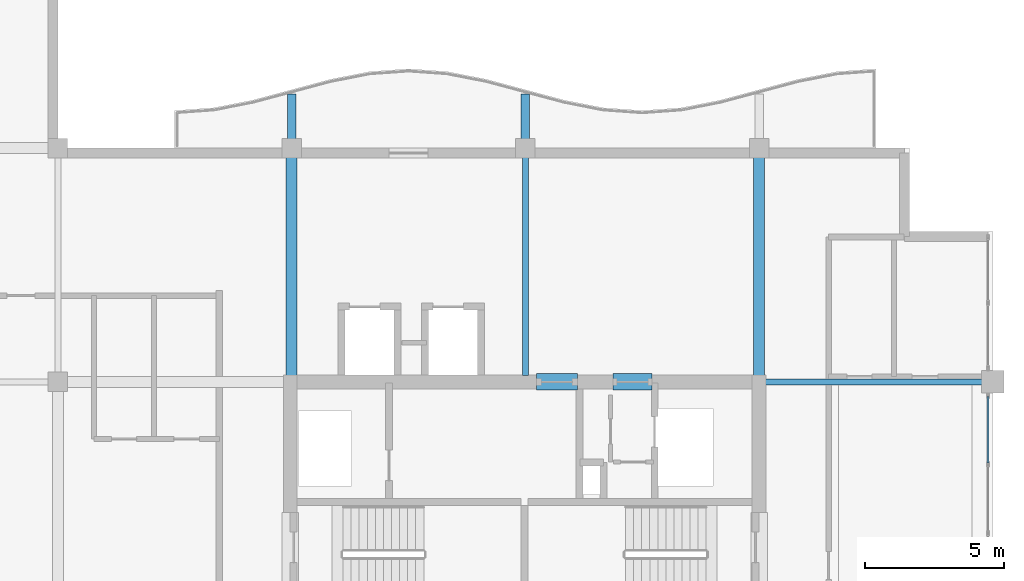
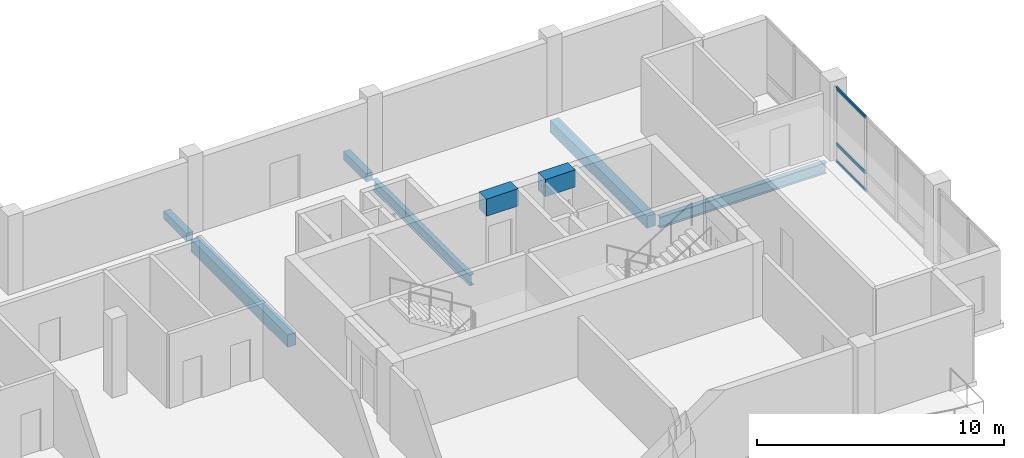
# One storey, part 3 of 14: 8 beams, 3 members, 1 element without a shape of its own.
"""IFC4 building model written with IfcOpenShell, lengths in metres."""

from ifc_helpers import new_model, si_unit, direction, frame, origin, origin_2d, place, context, subcontext, project, spatial, rectangle, hollow_rectangle, i_section, extrude, material, layer, layer_set, material_profile, profile_set, type_object, element, aggregate, save


model = new_model("IFC4")

# Units and contexts
model_context = context("Model", 3, precision=1e-05, world=origin(), true_north=direction((0.0, 1.0)))
body_context = subcontext(model_context, "Body", "Model", "MODEL_VIEW")
ifc_project = project(units=[si_unit("LENGTHUNIT", "METRE"), si_unit("AREAUNIT", "SQUARE_METRE"), si_unit("VOLUMEUNIT", "CUBIC_METRE"), si_unit("PLANEANGLEUNIT", "RADIAN"), si_unit("MASSUNIT", "GRAM", prefix="KILO")], contexts=[model_context])

# Site, building, storey
site_placement = place(None, origin())
site = spatial("IfcSite", under=ifc_project, at=site_placement, CompositionType="ELEMENT")
building_placement = place(site_placement, origin())
building = spatial("IfcBuilding", under=site, at=building_placement, Name="Koriwani Terraces Tower", CompositionType="ELEMENT")
storey_placement = place(building_placement, frame((0.0, 0.0, 308.60009765625)))
storey = spatial("IfcBuildingStorey", under=building, at=storey_placement, Name="L76", CompositionType="ELEMENT", Elevation=308.60009765625)

# Beams
ifc_material_1 = material(Name="Concrete C40/50", Category="concrete")
ifc_material_profile_1 = material_profile(ifc_material_1, rectangle(XDim=0.300048828125, YDim=0.39990234375, at=origin_2d()), Name="Concrete C40/50", Category="LoadBearing")
ifc_profile_set_1 = profile_set([ifc_material_profile_1], Name="Concrete C40/50")
beam_type_1 = type_object("IfcBeamType", Name="BEAM_RC_BALCONY_RIB_300X400", PredefinedType="JOIST", material=ifc_profile_set_1)
for number, where, z_axis, x_axis, name in (
    (1, (42.0, 33.699951171875, -0.43017578125), (0.0, 1.0, 0.0), (-1.0, 0.0, 0.0), "L76 Balcony Bracket Rib NE-1"),
    (2, (50.39990234375, 33.699951171875, -0.43017578125), (0.0, 1.0, 0.0), (-1.0, 0.0, 0.0), "L76 Balcony Bracket Rib NE-2"),
):
    element("IfcBeam", number, at=place(storey_placement, frame(where, z_axis=z_axis, x_axis=x_axis)), inside=storey, type_object=beam_type_1, Name=name, PredefinedType="JOIST", context=body_context, shape_type="SweptSolid", body=[
        extrude(rectangle(XDim=0.300048828125, YDim=0.39990234375, at=origin_2d()), origin(), (0.0, 0.0, 1.0), 1.85009765625),
    ])
ifc_material_2 = material(Name="Concrete C50/60", Category="concrete")
ifc_material_profile_2 = material_profile(ifc_material_2, rectangle(XDim=0.60009765625, YDim=0.85009765625, at=origin_2d()), Name="Concrete C50/60", Category="LoadBearing")
ifc_profile_set_2 = profile_set([ifc_material_profile_2], Name="Concrete C50/60")
beam_type_2 = type_object("IfcBeamType", Name="BEAM_RC_COUPLING_600X850", PredefinedType="LINTEL", material=ifc_profile_set_2)
beam_1_placement = place(storey_placement, frame((50.800048828125, 25.199951171875, 3.244873046875), z_axis=(1.0, 0.0, 0.0), x_axis=(0.0, 1.0, 0.0)))
element("IfcBeam", 3, at=beam_1_placement, inside=storey, type_object=beam_type_2, Name="L76 Core Coupling Lintel Beam EN1", PredefinedType="LINTEL", context=body_context, shape_type="SweptSolid", body=[
    extrude(rectangle(XDim=0.60009765625, YDim=0.85009765625, at=origin_2d()), origin(), (0.0, 0.0, 1.0), 1.47998046875),
])
beam_2_placement = place(storey_placement, frame((53.550048828125, 25.199951171875, 3.244873046875), z_axis=(1.0, 0.0, 0.0), x_axis=(0.0, 1.0, 0.0)))
element("IfcBeam", 4, at=beam_2_placement, inside=storey, type_object=beam_type_2, Name="L76 Core Coupling Lintel Beam EN2", PredefinedType="LINTEL", context=body_context, shape_type="SweptSolid", body=[
    extrude(rectangle(XDim=0.60009765625, YDim=0.85009765625, at=origin_2d()), origin(), (0.0, 0.0, 1.0), 1.39990234375),
])
ifc_material_profile_3 = material_profile(ifc_material_1, rectangle(XDim=0.39990234375, YDim=0.60009765625, at=origin_2d()), Name="Concrete C40/50", Category="LoadBearing")
ifc_profile_set_3 = profile_set([ifc_material_profile_3], Name="Concrete C40/50")
beam_type_3 = type_object("IfcBeamType", Name="BEAM_RC_GRID_400X600", PredefinedType="BEAM", material=ifc_profile_set_3)
for number, where, z_axis, x_axis, name in (
    (5, (42.0, 25.429931640625, -0.530029296875), (0.0, 1.0, 0.0), (-1.0, 0.0, 0.0), "L76 Grid Beam 6 (25.2-33.6m)"),
    (6, (58.800048828125, 25.429931640625, -0.530029296875), (0.0, 1.0, 0.0), (-1.0, 0.0, 0.0), "L76 Grid Beam 8 (25.2-33.6m)"),
):
    element("IfcBeam", number, at=place(storey_placement, frame(where, z_axis=z_axis, x_axis=x_axis)), inside=storey, type_object=beam_type_3, Name=name, PredefinedType="BEAM", context=body_context, shape_type="SweptSolid", body=[
        extrude(rectangle(XDim=0.39990234375, YDim=0.60009765625, at=origin_2d()), origin(), (0.0, 0.0, 1.0), 7.840087890625),
    ])

# Curtain wall, members
ifc_material_3 = material(Name="Anodised Bronze Aluminium", Category="aluminium")
ifc_layer = layer(ifc_material_3, 0.18994140625, Name="Anodised Bronze Aluminium")
ifc_layer_set = layer_set([ifc_layer], Name="Anodised Bronze Aluminium")
curtain_wall_type = type_object("IfcCurtainWallType", Name="CW_PENTHOUSE_ZONE5", PredefinedType="NOTDEFINED", material=ifc_layer_set)
curtain_wall_placement = place(storey_placement, origin())
curtain_wall = element("IfcCurtainWall", 7, at=curtain_wall_placement, inside=storey, type_object=curtain_wall_type, Name="L76 Unitised Curtain Wall (E_TIP) Bay 2", PredefinedType="NOTDEFINED")
ifc_material_profile_4 = material_profile(ifc_material_3, hollow_rectangle(XDim=0.06494140625, YDim=0.14990234375, WallThickness=0.0048828125, at=origin_2d()), Name="Anodised Bronze Aluminium", Category="LoadBearing")
ifc_profile_set_4 = profile_set([ifc_material_profile_4], Name="Anodised Bronze Aluminium")
member_type = type_object("IfcMemberType", Name="CW_TRANSOM_150X65", PredefinedType="USERDEFINED", material=ifc_profile_set_4)
member_1_placement = place(storey_placement, frame((67.02490234375, 24.6650390625, 0.032470703125), z_axis=(0.0, -1.0, 0.0), x_axis=(1.0, 0.0, 0.0)))
member_1 = element("IfcMember", 8, at=member_1_placement, type_object=member_type, Name="CW-Z5 transom 1.1", ObjectType="TRANSOM", PredefinedType="USERDEFINED", context=body_context, shape_type="SweptSolid", body=[
    extrude(hollow_rectangle(XDim=0.06494140625, YDim=0.14990234375, WallThickness=0.0048828125, at=origin_2d()), origin(), (0.0, 0.0, 1.0), 2.380859375),
])
member_2_placement = place(storey_placement, frame((67.02490234375, 24.6650390625, 0.89990234375), z_axis=(0.0, -1.0, 0.0), x_axis=(1.0, 0.0, 0.0)))
member_2 = element("IfcMember", 9, at=member_2_placement, type_object=member_type, Name="CW-Z5 transom 1.2", ObjectType="TRANSOM", PredefinedType="USERDEFINED", context=body_context, shape_type="SweptSolid", body=[
    extrude(hollow_rectangle(XDim=0.06494140625, YDim=0.14990234375, WallThickness=0.0048828125, at=origin_2d()), origin(), (0.0, 0.0, 1.0), 2.380859375),
])
member_3_placement = place(storey_placement, frame((67.02490234375, 24.6650390625, 3.637451171875), z_axis=(0.0, -1.0, 0.0), x_axis=(1.0, 0.0, 0.0)))
member_3 = element("IfcMember", 10, at=member_3_placement, type_object=member_type, Name="CW-Z5 transom 1.3", ObjectType="TRANSOM", PredefinedType="USERDEFINED", context=body_context, shape_type="SweptSolid", body=[
    extrude(hollow_rectangle(XDim=0.06494140625, YDim=0.14990234375, WallThickness=0.0048828125, at=origin_2d()), origin(), (0.0, 0.0, 1.0), 2.380859375),
])
aggregate(curtain_wall, [member_1, member_2, member_3])

# Beams
ifc_material_4 = material(Name="Steel ASTM A572 Grade 50", Category="steel")
ifc_material_profile_5 = material_profile(ifc_material_4, i_section(OverallWidth=0.2119140625, OverallDepth=0.54296875, WebThickness=0.0126953125, FlangeThickness=0.021240234375, at=origin_2d()), Name="Steel ASTM A572 Grade 50", Category="LoadBearing")
ifc_profile_set_5 = profile_set([ifc_material_profile_5], Name="Steel ASTM A572 Grade 50")
beam_type_4 = type_object("IfcBeamType", Name="STEEL_BEAM_W530X150", PredefinedType="BEAM", material=ifc_profile_set_5)
beam_3_placement = place(storey_placement, frame((59.030029296875, 25.199951171875, -0.501708984375), z_axis=(1.0, 0.0, 0.0), x_axis=(0.0, 1.0, 0.0)))
element("IfcBeam", 11, at=beam_3_placement, inside=storey, type_object=beam_type_4, Name="L76 Grid Beam D (58.8-67.2m)", PredefinedType="BEAM", context=body_context, shape_type="SweptSolid", body=[
    extrude(i_section(OverallWidth=0.2119140625, OverallDepth=0.54296875, WebThickness=0.0126953125, FlangeThickness=0.021240234375, at=origin_2d()), origin(), (0.0, 0.0, 1.0), 7.7900390625),
])
beam_4_placement = place(storey_placement, frame((50.39990234375, 25.429931640625, -0.501708984375), z_axis=(0.0, 1.0, 0.0), x_axis=(-1.0, 0.0, 0.0)))
element("IfcBeam", 12, at=beam_4_placement, inside=storey, type_object=beam_type_4, Name="L76 Grid Beam 7 (25.2-33.6m)", PredefinedType="BEAM", context=body_context, shape_type="SweptSolid", body=[
    extrude(i_section(OverallWidth=0.2119140625, OverallDepth=0.54296875, WebThickness=0.0126953125, FlangeThickness=0.021240234375, at=origin_2d()), origin(), (0.0, 0.0, 1.0), 7.840087890625),
])

save(model, "model.ifc")
